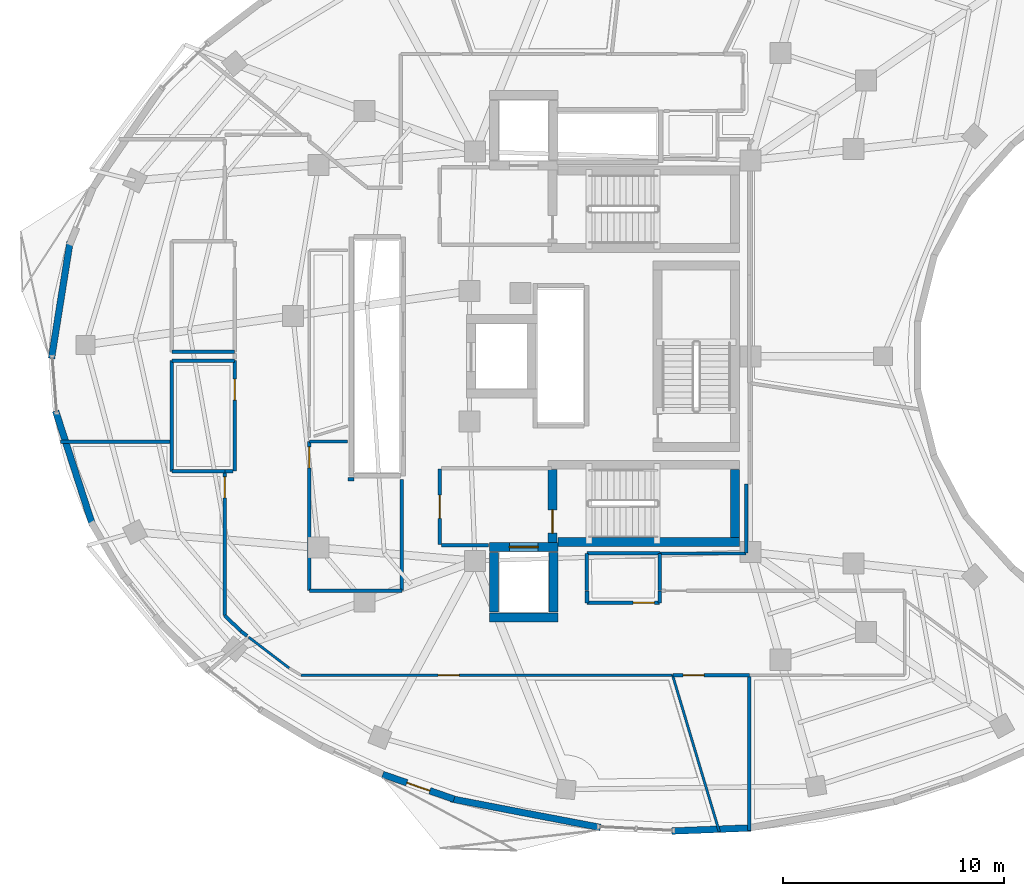
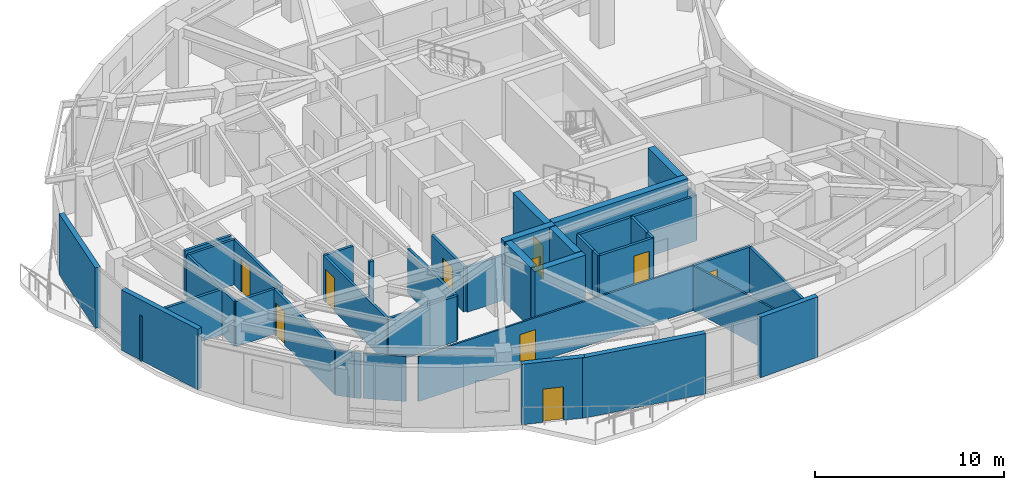
# One storey, part 8 of 14: 42 walls, 10 doors, 10 openings.
"""IFC4 building model written with IfcOpenShell, lengths in metres."""

from ifc_helpers import new_model, si_unit, direction, frame, frame_2d, origin, place, context, subcontext, project, spatial, rectangle, extrude, material, layer, layer_set, type_object, element, fill, save


model = new_model("IFC4")

# Units and contexts
model_context = context("Model", 3, precision=1e-05, world=origin(), true_north=direction((0.0, 1.0)))
body_context = subcontext(model_context, "Body", "Model", "MODEL_VIEW")
ifc_project = project(units=[si_unit("LENGTHUNIT", "METRE"), si_unit("AREAUNIT", "SQUARE_METRE"), si_unit("VOLUMEUNIT", "CUBIC_METRE"), si_unit("PLANEANGLEUNIT", "RADIAN"), si_unit("MASSUNIT", "GRAM", prefix="KILO")], contexts=[model_context])

# Site, building, storey
site_placement = place(None, origin())
site = spatial("IfcSite", under=ifc_project, at=site_placement, CompositionType="ELEMENT")
building_placement = place(site_placement, origin())
building = spatial("IfcBuilding", under=site, at=building_placement, Name="Korentha Bioscience Tower", CompositionType="ELEMENT")
storey_placement = place(building_placement, frame((0.0, 0.0, 247.800048828125)))
storey = spatial("IfcBuildingStorey", under=building, at=storey_placement, Name="L57", CompositionType="ELEMENT", Elevation=247.800048828125)

# Wall, opening, door
ifc_material_1 = material(Name="Double-Stud Acoustic Gypsum", Category="gypsum")
ifc_layer_1 = layer(ifc_material_1, 0.14990234375, Name="Double-Stud Acoustic Gypsum")
ifc_layer_set_1 = layer_set([ifc_layer_1], Name="Double-Stud Acoustic Gypsum (IW-L150)")
wall_type_1 = type_object("IfcWallType", Name="Acoustic Laboratory Partition Wall 150", PredefinedType="PARTITIONING", material=ifc_layer_set_1)
wall_1_placement = place(storey_placement, frame((14.239990234375, 26.800048828125, 0.0), z_axis=(0.0, 0.0, 1.0), x_axis=(0.0, -1.0, 0.0)))
wall_1 = element("IfcWall", 1, at=wall_1_placement, inside=storey, type_object=wall_type_1, Name="L57 Reclaimed Bank-1 Cold Freezer Alcove Entrance Wall", PredefinedType="PARTITIONING", context=body_context, shape_type="SweptSolid", body=[
    extrude(rectangle(XDim=4.989990234375, YDim=0.14990234375, at=frame_2d((2.4951171875, 0.0))), origin(), (0.0, 0.0, 1.0), 2.909912109375),
])
opening_1_placement = place(wall_1_placement, frame((0.830078125, 0.0, 0.0)))
opening_1 = element("IfcOpeningElement", 2, at=opening_1_placement, cuts=wall_1, Name="Opening ID-10R", PredefinedType="OPENING", context=body_context, shape_type="SweptSolid", body=[
    extrude(rectangle(XDim=0.949951171875, YDim=2.14990234375, at=frame_2d((0.47509765625, 1.074951171875))), frame((0.0, 0.08984375, 0.0), z_axis=(0.0, -1.0, 0.0), x_axis=(1.0, 0.0, 0.0)), (0.0, 0.0, 1.0), 0.1796875),
])
ifc_material_2 = material(Name="Phenolic Laminate Timber Core", Category="wood")
door_type_1 = type_object("IfcDoorType", Name="Laboratory Single Leaf Door 950x2150 Right", OperationType="SINGLE_SWING_RIGHT", PredefinedType="DOOR", material=ifc_material_2)
door_1_placement = place(opening_1_placement, origin())
door_1 = element("IfcDoor", 3, at=door_1_placement, inside=storey, type_object=door_type_1, Name="L57 Reclaimed Bank-1 Cold Freezer Alcove Door", OperationType="SINGLE_SWING_RIGHT", OverallHeight=2.14990234375, OverallWidth=0.949951171875, PredefinedType="DOOR", context=body_context, shape_type="SweptSolid", body=[
    extrude(rectangle(XDim=0.949951171875, YDim=2.14990234375, at=frame_2d((0.47509765625, 1.074951171875))), frame((0.0, 0.02490234375, 0.0), z_axis=(0.0, -1.0, 0.0), x_axis=(1.0, 0.0, 0.0)), (0.0, 0.0, 1.0), 0.050048828125),
])
fill(opening_1, door_1)

wall_2_placement = place(storey_placement, frame((17.610107421875, 16.409912109375, 0.0), z_axis=(0.0, 0.0, 1.0), x_axis=(0.0, 1.0, 0.0)))
wall_2 = element("IfcWall", 4, at=wall_2_placement, inside=storey, type_object=wall_type_1, Name="L57 Biomechanical Motion Analysis Lab 02 Entrance Wall", PredefinedType="PARTITIONING", context=body_context, shape_type="SweptSolid", body=[
    extrude(rectangle(XDim=6.738037109375, YDim=0.14990234375, at=frame_2d((3.369140625, 0.0))), origin(), (0.0, 0.0, 1.0), 2.909912109375),
])
opening_2_placement = place(wall_2_placement, frame((5.548095703125, 0.0, 0.0)))
opening_2 = element("IfcOpeningElement", 5, at=opening_2_placement, cuts=wall_2, Name="Opening ID-10L", PredefinedType="OPENING", context=body_context, shape_type="SweptSolid", body=[
    extrude(rectangle(XDim=0.949951171875, YDim=2.14990234375, at=frame_2d((0.47509765625, 1.074951171875))), frame((0.0, 0.08984375, 0.0), z_axis=(0.0, -1.0, 0.0), x_axis=(1.0, 0.0, 0.0)), (0.0, 0.0, 1.0), 0.1796875),
])
door_type_2 = type_object("IfcDoorType", Name="Laboratory Single Leaf Door 950x2150 Left", OperationType="SINGLE_SWING_LEFT", PredefinedType="DOOR", material=ifc_material_2)
door_2_placement = place(opening_2_placement, origin())
door_2 = element("IfcDoor", 6, at=door_2_placement, inside=storey, type_object=door_type_2, Name="L57 Biomechanical Motion Analysis Lab 02 Door", OperationType="SINGLE_SWING_LEFT", OverallHeight=2.14990234375, OverallWidth=0.949951171875, PredefinedType="DOOR", context=body_context, shape_type="SweptSolid", body=[
    extrude(rectangle(XDim=0.949951171875, YDim=2.14990234375, at=frame_2d((0.47509765625, 1.074951171875))), frame((0.0, 0.02490234375, 0.0), z_axis=(0.0, -1.0, 0.0), x_axis=(1.0, 0.0, 0.0)), (0.0, 0.0, 1.0), 0.050048828125),
])
fill(opening_2, door_2)

wall_3_placement = place(storey_placement, frame((34.037109375, 12.590087890625, 0.0), z_axis=(0.0, 0.0, 1.0), x_axis=(1.0, 0.0, 0.0)))
wall_3 = element("IfcWall", 7, at=wall_3_placement, inside=storey, type_object=wall_type_1, Name="L57 Research Colloquium Seminar Room 04 Entrance Wall", PredefinedType="PARTITIONING", context=body_context, shape_type="SweptSolid", body=[
    extrude(rectangle(XDim=3.4609375, YDim=0.14990234375, at=frame_2d((1.73046875, 0.0))), origin(), (0.0, 0.0, 1.0), 2.909912109375),
])
opening_3_placement = place(wall_3_placement, frame((0.470703125, 0.0, 0.0)))
opening_3 = element("IfcOpeningElement", 8, at=opening_3_placement, cuts=wall_3, Name="Opening ID-10L", PredefinedType="OPENING", context=body_context, shape_type="SweptSolid", body=[
    extrude(rectangle(XDim=0.949951171875, YDim=2.14990234375, at=frame_2d((0.47509765625, 1.074951171875))), frame((0.0, 0.08984375, 0.0), z_axis=(0.0, -1.0, 0.0), x_axis=(1.0, 0.0, 0.0)), (0.0, 0.0, 1.0), 0.1796875),
])
door_3_placement = place(opening_3_placement, origin())
door_3 = element("IfcDoor", 9, at=door_3_placement, inside=storey, type_object=door_type_2, Name="L57 Research Colloquium Seminar Room 04 Door", OperationType="SINGLE_SWING_LEFT", OverallHeight=2.14990234375, OverallWidth=0.949951171875, PredefinedType="DOOR", context=body_context, shape_type="SweptSolid", body=[
    extrude(rectangle(XDim=0.949951171875, YDim=2.14990234375, at=frame_2d((0.47509765625, 1.074951171875))), frame((0.0, 0.02490234375, 0.0), z_axis=(0.0, -1.0, 0.0), x_axis=(1.0, 0.0, 0.0)), (0.0, 0.0, 1.0), 0.050048828125),
])
fill(opening_3, door_3)

# Walls
wall_4_placement = place(storey_placement, frame((14.162109375, 21.81005859375, 0.0), z_axis=(0.0, 0.0, 1.0), x_axis=(-1.0, 0.0, 0.0)))
element("IfcWall", 10, at=wall_4_placement, inside=storey, type_object=wall_type_1, Name="L57 Interior Partition 025", PredefinedType="PARTITIONING", context=body_context, shape_type="SweptSolid", body=[
    extrude(rectangle(XDim=0.362060546875, YDim=0.14990234375, at=frame_2d((0.18115234375, 0.0))), origin(), (0.0, 0.0, 1.0), 2.909912109375),
])
wall_5_placement = place(storey_placement, frame((13.7900390625, 21.800048828125, 0.0), z_axis=(0.0, 0.0, 1.0), x_axis=(-1.0, 0.0, 0.0)))
element("IfcWall", 11, at=wall_5_placement, inside=storey, type_object=wall_type_1, Name="L57 Interior Partition 026", PredefinedType="PARTITIONING", context=body_context, shape_type="SweptSolid", body=[
    extrude(rectangle(XDim=2.39013671875, YDim=0.14990234375, at=frame_2d((1.195068359375, 0.0))), origin(), (0.0, 0.0, 1.0), 2.909912109375),
])
wall_6_placement = place(storey_placement, frame((11.39990234375, 21.800048828125, 0.0), z_axis=(0.0, 0.0, 1.0), x_axis=(0.0, 1.0, 0.0)))
element("IfcWall", 12, at=wall_6_placement, inside=storey, type_object=wall_type_1, Name="L57 Interior Partition 027", PredefinedType="PARTITIONING", context=body_context, shape_type="SweptSolid", body=[
    extrude(rectangle(XDim=5.0, YDim=0.14990234375, at=frame_2d((2.5, 0.0))), origin(), (0.0, 0.0, 1.0), 2.909912109375),
])
wall_7_placement = place(storey_placement, frame((11.39990234375, 26.800048828125, 0.0), z_axis=(0.0, 0.0, 1.0), x_axis=(1.0, 0.0, 0.0)))
element("IfcWall", 13, at=wall_7_placement, inside=storey, type_object=wall_type_1, Name="L57 Interior Partition 028", PredefinedType="PARTITIONING", context=body_context, shape_type="SweptSolid", body=[
    extrude(rectangle(XDim=2.840087890625, YDim=0.14990234375, at=frame_2d((1.419921875, 0.0))), origin(), (0.0, 0.0, 1.0), 2.909912109375),
])
wall_8_placement = place(storey_placement, frame((19.35009765625, 21.43994140625, 0.0), z_axis=(0.0, 0.0, 1.0), x_axis=(1.0, 0.0, 0.0)))
element("IfcWall", 14, at=wall_8_placement, inside=storey, type_object=wall_type_1, Name="L57 Interior Partition 037", PredefinedType="PARTITIONING", context=body_context, shape_type="SweptSolid", body=[
    extrude(rectangle(XDim=0.27001953125, YDim=0.14990234375, at=frame_2d((0.135009765625, 0.0))), origin(), (0.0, 0.0, 1.0), 2.909912109375),
])
wall_9_placement = place(storey_placement, frame((21.7900390625, 21.43994140625, 0.0), z_axis=(0.0, 0.0, 1.0), x_axis=(0.0, -1.0, 0.0)))
element("IfcWall", 15, at=wall_9_placement, inside=storey, type_object=wall_type_1, Name="L57 Interior Partition 038", PredefinedType="PARTITIONING", context=body_context, shape_type="SweptSolid", body=[
    extrude(rectangle(XDim=5.030029296875, YDim=0.14990234375, at=frame_2d((2.51513671875, 0.0))), origin(), (0.0, 0.0, 1.0), 2.909912109375),
])
wall_10_placement = place(storey_placement, frame((21.7900390625, 16.409912109375, 0.0), z_axis=(0.0, 0.0, 1.0), x_axis=(-1.0, 0.0, 0.0)))
element("IfcWall", 16, at=wall_10_placement, inside=storey, type_object=wall_type_1, Name="L57 Interior Partition 039", PredefinedType="PARTITIONING", context=body_context, shape_type="SweptSolid", body=[
    extrude(rectangle(XDim=4.179931640625, YDim=0.14990234375, at=frame_2d((2.08984375, 0.0))), origin(), (0.0, 0.0, 1.0), 2.909912109375),
])
wall_11_placement = place(storey_placement, frame((17.610107421875, 23.14794921875, 0.0), z_axis=(0.0, 0.0, 1.0), x_axis=(1.0, 0.0, 0.0)))
element("IfcWall", 17, at=wall_11_placement, inside=storey, type_object=wall_type_1, Name="L57 Interior Partition 040", PredefinedType="PARTITIONING", context=body_context, shape_type="SweptSolid", body=[
    extrude(rectangle(XDim=1.729736328125, YDim=0.14990234375, at=frame_2d((0.86474609375, 0.0))), origin(), (0.0, 0.0, 1.0), 2.909912109375),
])
wall_12_placement = place(storey_placement, frame((37.498046875, 12.590087890625, 0.0), z_axis=(0.0, 0.0, 1.0), x_axis=(0.0, -1.0, 0.0)))
element("IfcWall", 18, at=wall_12_placement, inside=storey, type_object=wall_type_1, Name="L57 Interior Partition 044", PredefinedType="PARTITIONING", context=body_context, shape_type="SweptSolid", body=[
    extrude(rectangle(XDim=7.02392578125, YDim=0.14990234375, at=frame_2d((3.511962890625, 0.0))), origin(), (0.0, 0.0, 1.0), 2.909912109375),
])
wall_13_placement = place(storey_placement, frame((33.4599609375, 18.090087890625, 0.0), z_axis=(0.0, 0.0, 1.0), x_axis=(1.0, 0.0, 0.0)))
element("IfcWall", 19, at=wall_13_placement, inside=storey, type_object=wall_type_1, Name="L57 Interior Partition 052", PredefinedType="PARTITIONING", context=body_context, shape_type="SweptSolid", body=[
    extrude(rectangle(XDim=3.89013671875, YDim=0.14990234375, at=frame_2d((1.945068359375, 0.0))), origin(), (0.0, 0.0, 1.0), 2.909912109375),
])
wall_14_placement = place(storey_placement, frame((37.360107421875, 18.10009765625, 0.0), z_axis=(0.0, 0.0, 1.0), x_axis=(0.0, 1.0, 0.0)))
element("IfcWall", 20, at=wall_14_placement, inside=storey, type_object=wall_type_1, Name="L57 Interior Partition 053", PredefinedType="PARTITIONING", context=body_context, shape_type="SweptSolid", body=[
    extrude(rectangle(XDim=3.12060546875, YDim=0.14990234375, at=frame_2d((1.560302734375, 0.0))), origin(), (0.0, 0.0, 1.0), 2.909912109375),
])

# Wall, opening, door
ifc_material_3 = material(Name="Fire-Rated Framed Glass", Category="glass")
ifc_layer_2 = layer(ifc_material_3, 0.110107421875, Name="Fire-Rated Framed Glass")
ifc_layer_set_2 = layer_set([ifc_layer_2], Name="Fire-Rated Framed Glass (IW-G110)")
wall_type_2 = type_object("IfcWallType", Name="Demountable Glazed Office Partition 110", PredefinedType="MOVABLE", material=ifc_layer_set_2)
wall_15_placement = place(storey_placement, frame((17.235595703125, 12.590087890625, 0.0), z_axis=(0.0, 0.0, 1.0), x_axis=(1.0, 0.0, 0.0)))
wall_15 = element("IfcWall", 21, at=wall_15_placement, inside=storey, type_object=wall_type_2, Name="L57 Principal Investigator Office 03 Entrance Wall", PredefinedType="MOVABLE", context=body_context, shape_type="SweptSolid", body=[
    extrude(rectangle(XDim=16.791015625, YDim=0.110107421875, at=frame_2d((8.3955078125, 0.0))), origin(), (0.0, 0.0, 1.0), 2.909912109375),
])
opening_4_placement = place(wall_15_placement, frame((6.193603515625, 0.0, 0.0)))
opening_4 = element("IfcOpeningElement", 22, at=opening_4_placement, cuts=wall_15, Name="Opening ID-10R", PredefinedType="OPENING", context=body_context, shape_type="SweptSolid", body=[
    extrude(rectangle(XDim=0.949951171875, YDim=2.14990234375, at=frame_2d((0.47509765625, 1.074951171875))), frame((0.0, 0.06982421875, 0.0), z_axis=(0.0, -1.0, 0.0), x_axis=(1.0, 0.0, 0.0)), (0.0, 0.0, 1.0), 0.139892578125),
])
door_4_placement = place(opening_4_placement, origin())
door_4 = element("IfcDoor", 23, at=door_4_placement, inside=storey, type_object=door_type_1, Name="L57 Principal Investigator Office 03 Door", OperationType="SINGLE_SWING_RIGHT", OverallHeight=2.14990234375, OverallWidth=0.949951171875, PredefinedType="DOOR", context=body_context, shape_type="SweptSolid", body=[
    extrude(rectangle(XDim=0.949951171875, YDim=2.14990234375, at=frame_2d((0.47509765625, 1.074951171875))), frame((0.0, 0.02490234375, 0.0), z_axis=(0.0, -1.0, 0.0), x_axis=(1.0, 0.0, 0.0)), (0.0, 0.0, 1.0), 0.050048828125),
])
fill(opening_4, door_4)

# Walls
wall_16_placement = place(storey_placement, frame((14.8740234375, 14.305908203125, 0.0), z_axis=(0.0, 0.0, 1.0), x_axis=(0.794366882066, -0.607438273965, 0.0)))
element("IfcWall", 24, at=wall_16_placement, inside=storey, type_object=wall_type_2, Name="L57 Interior Partition 041", PredefinedType="MOVABLE", context=body_context, shape_type="SweptSolid", body=[
    extrude(rectangle(XDim=2.29736328125, YDim=0.110107421875, at=frame_2d((1.148681640625, 0.0))), origin(), (0.0, 0.0, 1.0), 2.909912109375),
])
wall_17_placement = place(storey_placement, frame((34.026611328125, 12.590087890625, 0.0), z_axis=(0.0, 0.0, 1.0), x_axis=(0.286155182725, -0.958183286955, 0.0)))
element("IfcWall", 25, at=wall_17_placement, inside=storey, type_object=wall_type_2, Name="L57 Interior Partition 043", PredefinedType="MOVABLE", context=body_context, shape_type="SweptSolid", body=[
    extrude(rectangle(XDim=7.381591796875, YDim=0.110107421875, at=frame_2d((3.69091796875, 0.0))), origin(), (0.0, 0.0, 1.0), 2.909912109375),
])

# Wall, opening, door
ifc_material_4 = material(Name="Gypsum-Clad Steel Stud", Category="steel")
ifc_layer_3 = layer(ifc_material_4, 0.159912109375, Name="Gypsum-Clad Steel Stud")
ifc_layer_set_3 = layer_set([ifc_layer_3], Name="Gypsum-Clad Steel Stud (IW-C160)")
wall_type_3 = type_object("IfcWallType", Name="Fire-Rated Corridor Partition Wall 160", PredefinedType="PARTITIONING", material=ifc_layer_set_3)
wall_18_placement = place(storey_placement, frame((23.5, 18.5, 0.0), z_axis=(0.0, 0.0, 1.0), x_axis=(0.0, 1.0, 0.0)))
wall_18 = element("IfcWall", 26, at=wall_18_placement, inside=storey, type_object=wall_type_3, Name="L57 FFLS-CW Rated Enclosure Wall", PredefinedType="PARTITIONING", context=body_context, shape_type="SweptSolid", body=[
    extrude(rectangle(XDim=3.39990234375, YDim=0.159912109375, at=frame_2d((1.699951171875, 0.0))), origin(), (0.0, 0.0, 1.0), 2.909912109375),
])
opening_5_placement = place(wall_18_placement, frame((1.175048828125, 0.0, 0.0)))
opening_5 = element("IfcOpeningElement", 27, at=opening_5_placement, cuts=wall_18, Name="Opening FD-90R", PredefinedType="OPENING", context=body_context, shape_type="SweptSolid", body=[
    extrude(rectangle(XDim=1.050048828125, YDim=2.14990234375, at=frame_2d((0.52490234375, 1.074951171875))), frame((0.0, 0.0947265625, 0.0), z_axis=(0.0, -1.0, 0.0), x_axis=(1.0, 0.0, 0.0)), (0.0, 0.0, 1.0), 0.189697265625),
])
ifc_material_5 = material(Name="Powder-Coated Fire-Rated Steel", Category="steel")
door_type_3 = type_object("IfcDoorType", Name="Stairwell Fire Exit Door 1050x2150 Right", OperationType="SINGLE_SWING_RIGHT", PredefinedType="DOOR", material=ifc_material_5)
door_5_placement = place(opening_5_placement, origin())
door_5 = element("IfcDoor", 28, at=door_5_placement, inside=storey, type_object=door_type_3, Name="L57 South Firefighting Lobby Door", OperationType="SINGLE_SWING_RIGHT", OverallHeight=2.14990234375, OverallWidth=1.050048828125, PredefinedType="DOOR", context=body_context, shape_type="SweptSolid", body=[
    extrude(rectangle(XDim=1.050048828125, YDim=2.14990234375, at=frame_2d((0.52490234375, 1.074951171875))), frame((0.0, 0.02490234375, 0.0), z_axis=(0.0, -1.0, 0.0), x_axis=(1.0, 0.0, 0.0)), (0.0, 0.0, 1.0), 0.050048828125),
])
fill(opening_5, door_5)

# Wall
wall_19_placement = place(storey_placement, frame((23.580078125, 18.449951171875, 0.0), z_axis=(0.0, 0.0, 1.0), x_axis=(1.0, 0.0, 0.0)))
element("IfcWall", 29, at=wall_19_placement, inside=storey, type_object=wall_type_3, Name="L57 Firefighting Lobby Return Wall FFLS-S", PredefinedType="PARTITIONING", context=body_context, shape_type="SweptSolid", body=[
    extrude(rectangle(XDim=2.119873046875, YDim=0.159912109375, at=frame_2d((1.06005859375, 0.0))), origin(), (0.0, 0.0, 1.0), 2.909912109375),
])

# Wall, opening, door
wall_20_placement = place(storey_placement, frame((33.43994140625, 15.860107421875, 0.0), z_axis=(0.0, 0.0, 1.0), x_axis=(-1.0, 0.0, 0.0)))
wall_20 = element("IfcWall", 30, at=wall_20_placement, inside=storey, type_object=wall_type_3, Name="L57 Core Instrumentation and Gas Store Entrance Wall", PredefinedType="PARTITIONING", context=body_context, shape_type="SweptSolid", body=[
    extrude(rectangle(XDim=3.280029296875, YDim=0.159912109375, at=frame_2d((1.64013671875, 0.0))), origin(), (0.0, 0.0, 1.0), 2.909912109375),
])
opening_6_placement = place(wall_20_placement, frame((0.239990234375, 0.0, 0.0)))
opening_6 = element("IfcOpeningElement", 31, at=opening_6_placement, cuts=wall_20, Name="Opening ID-10R", PredefinedType="OPENING", context=body_context, shape_type="SweptSolid", body=[
    extrude(rectangle(XDim=0.949951171875, YDim=2.14990234375, at=frame_2d((0.47509765625, 1.074951171875))), frame((0.0, 0.0947265625, 0.0), z_axis=(0.0, -1.0, 0.0), x_axis=(1.0, 0.0, 0.0)), (0.0, 0.0, 1.0), 0.189697265625),
])
door_6_placement = place(opening_6_placement, origin())
door_6 = element("IfcDoor", 32, at=door_6_placement, inside=storey, type_object=door_type_1, Name="L57 Core Instrumentation and Gas Store Door", OperationType="SINGLE_SWING_RIGHT", OverallHeight=2.14990234375, OverallWidth=0.949951171875, PredefinedType="DOOR", context=body_context, shape_type="SweptSolid", body=[
    extrude(rectangle(XDim=0.949951171875, YDim=2.14990234375, at=frame_2d((0.47509765625, 1.074951171875))), frame((0.0, 0.02490234375, 0.0), z_axis=(0.0, -1.0, 0.0), x_axis=(1.0, 0.0, 0.0)), (0.0, 0.0, 1.0), 0.050048828125),
])
fill(opening_6, door_6)

wall_21_placement = place(storey_placement, frame((13.7900390625, 21.7900390625, 0.0), z_axis=(0.0, 0.0, 1.0), x_axis=(0.0, -1.0, 0.0)))
wall_21 = element("IfcWall", 33, at=wall_21_placement, inside=storey, type_object=wall_type_3, Name="L57 Biospecimen Archive Store 01 Entrance Wall", PredefinedType="PARTITIONING", context=body_context, shape_type="SweptSolid", body=[
    extrude(rectangle(XDim=6.49853515625, YDim=0.159912109375, at=frame_2d((3.249267578125, 0.0))), origin(), (0.0, 0.0, 1.0), 2.909912109375),
])
opening_7_placement = place(wall_21_placement, frame((0.239990234375, 0.0, 0.0)))
opening_7 = element("IfcOpeningElement", 34, at=opening_7_placement, cuts=wall_21, Name="Opening ID-10R", PredefinedType="OPENING", context=body_context, shape_type="SweptSolid", body=[
    extrude(rectangle(XDim=0.949951171875, YDim=2.14990234375, at=frame_2d((0.47509765625, 1.074951171875))), frame((0.0, 0.0947265625, 0.0), z_axis=(0.0, -1.0, 0.0), x_axis=(1.0, 0.0, 0.0)), (0.0, 0.0, 1.0), 0.189697265625),
])
door_7_placement = place(opening_7_placement, origin())
door_7 = element("IfcDoor", 35, at=door_7_placement, inside=storey, type_object=door_type_1, Name="L57 Biospecimen Archive Store 01 Door", OperationType="SINGLE_SWING_RIGHT", OverallHeight=2.14990234375, OverallWidth=0.949951171875, PredefinedType="DOOR", context=body_context, shape_type="SweptSolid", body=[
    extrude(rectangle(XDim=0.949951171875, YDim=2.14990234375, at=frame_2d((0.47509765625, 1.074951171875))), frame((0.0, 0.02490234375, 0.0), z_axis=(0.0, -1.0, 0.0), x_axis=(1.0, 0.0, 0.0)), (0.0, 0.0, 1.0), 0.050048828125),
])
fill(opening_7, door_7)

# Walls
for number, where, z_axis, x_axis, name in (
    (36, (33.43994140625, 16.39990234375, 0.0), (0.0, 0.0, 1.0), (0.0, -1.0, 0.0), "L57 Interior Partition 018"),
    (37, (30.159912109375, 15.860107421875, 0.0), (0.0, 0.0, 1.0), (0.0, 1.0, 0.0), "L57 Interior Partition 019"),
):
    element("IfcWall", number, at=place(storey_placement, frame(where, z_axis=z_axis, x_axis=x_axis)), inside=storey, type_object=wall_type_3, Name=name, PredefinedType="PARTITIONING", context=body_context, shape_type="SweptSolid", body=[
        extrude(rectangle(XDim=0.539794921875, YDim=0.159912109375, at=frame_2d((0.27001953125, 0.0))), origin(), (0.0, 0.0, 1.0), 2.909912109375),
    ])
wall_22_placement = place(storey_placement, frame((30.14990234375, 16.409912109375, 0.0), z_axis=(0.0, 0.0, 1.0), x_axis=(0.0, 1.0, 0.0)))
element("IfcWall", 38, at=wall_22_placement, inside=storey, type_object=wall_type_3, Name="L57 Interior Partition 020", PredefinedType="PARTITIONING", context=body_context, shape_type="SweptSolid", body=[
    extrude(rectangle(XDim=1.68017578125, YDim=0.159912109375, at=frame_2d((0.840087890625, 0.0))), origin(), (0.0, 0.0, 1.0), 2.909912109375),
])
wall_23_placement = place(storey_placement, frame((30.14990234375, 18.090087890625, 0.0), z_axis=(0.0, 0.0, 1.0), x_axis=(1.0, 0.0, 0.0)))
element("IfcWall", 39, at=wall_23_placement, inside=storey, type_object=wall_type_3, Name="L57 Interior Partition 021", PredefinedType="PARTITIONING", context=body_context, shape_type="SweptSolid", body=[
    extrude(rectangle(XDim=3.300048828125, YDim=0.159912109375, at=frame_2d((1.64990234375, 0.0))), origin(), (0.0, 0.0, 1.0), 2.909912109375),
])
wall_24_placement = place(storey_placement, frame((33.449951171875, 18.090087890625, 0.0), z_axis=(0.0, 0.0, 1.0), x_axis=(0.0, -1.0, 0.0)))
element("IfcWall", 40, at=wall_24_placement, inside=storey, type_object=wall_type_3, Name="L57 Interior Partition 022", PredefinedType="PARTITIONING", context=body_context, shape_type="SweptSolid", body=[
    extrude(rectangle(XDim=1.68017578125, YDim=0.159912109375, at=frame_2d((0.840087890625, 0.0))), origin(), (0.0, 0.0, 1.0), 2.909912109375),
])
wall_25_placement = place(storey_placement, frame((14.239990234375, 27.199951171875, 0.0), z_axis=(0.0, 0.0, 1.0), x_axis=(-1.0, 0.0, 0.0)))
element("IfcWall", 41, at=wall_25_placement, inside=storey, type_object=wall_type_3, Name="L57 Interior Partition 030", PredefinedType="PARTITIONING", context=body_context, shape_type="SweptSolid", body=[
    extrude(rectangle(XDim=2.840087890625, YDim=0.159912109375, at=frame_2d((1.419921875, 0.0))), origin(), (0.0, 0.0, 1.0), 2.909912109375),
])
wall_26_placement = place(storey_placement, frame((6.3701171875, 23.14794921875, 0.0), z_axis=(0.0, 0.0, 1.0), x_axis=(1.0, 0.0, 0.0)))
element("IfcWall", 42, at=wall_26_placement, inside=storey, type_object=wall_type_3, Name="L57 Interior Partition 033", PredefinedType="PARTITIONING", context=body_context, shape_type="SweptSolid", body=[
    extrude(rectangle(XDim=5.019775390625, YDim=0.159912109375, at=frame_2d((2.509765625, 0.0))), origin(), (0.0, 0.0, 1.0), 2.909912109375),
])
wall_27_placement = place(storey_placement, frame((13.79296875, 15.2841796875, 0.0), z_axis=(0.0, 0.0, 1.0), x_axis=(0.7160122468, -0.698087718294, 0.0)))
element("IfcWall", 43, at=wall_27_placement, inside=storey, type_object=wall_type_3, Name="L57 Interior Partition 034", PredefinedType="PARTITIONING", context=body_context, shape_type="SweptSolid", body=[
    extrude(rectangle(XDim=1.0078125, YDim=0.159912109375, at=frame_2d((0.50390625, 0.0))), origin(), (0.0, 0.0, 1.0), 2.909912109375),
])
wall_28_placement = place(storey_placement, frame((14.515625, 14.579833984375, 0.0), z_axis=(0.0, 0.0, 1.0), x_axis=(0.794124394036, -0.607755252381, 0.0)))
element("IfcWall", 44, at=wall_28_placement, inside=storey, type_object=wall_type_3, Name="L57 Interior Partition 035", PredefinedType="PARTITIONING", context=body_context, shape_type="SweptSolid", body=[
    extrude(rectangle(XDim=0.356201171875, YDim=0.159912109375, at=frame_2d((0.17822265625, 0.0))), origin(), (0.0, 0.0, 1.0), 2.909912109375),
])

# Wall, opening, door
ifc_material_6 = material(Name="Honed Limestone Precast Concrete C40", Category="masonry")
ifc_layer_4 = layer(ifc_material_6, 0.300048828125, Name="Honed Limestone Precast Concrete C40")
ifc_layer_set_4 = layer_set([ifc_layer_4], Name="Honed Limestone Precast Concrete C40 (EW-ST300)")
wall_type_4 = type_object("IfcWallType", Name="Honed Limestone Cavity Spandrel Wall 300", PredefinedType="STANDARD", material=ifc_layer_set_4)
wall_29_placement = place(storey_placement, frame((20.927978515625, 8.1044921875, 0.0), z_axis=(0.0, 0.0, 1.0), x_axis=(0.944837969822, -0.327538105849, 0.0)))
wall_29 = element("IfcWall", 45, at=wall_29_placement, inside=storey, type_object=wall_type_4, Name="L57 Balcony Threshold Wall 03", PredefinedType="STANDARD", context=body_context, shape_type="SweptSolid", body=[
    extrude(rectangle(XDim=3.412353515625, YDim=0.300048828125, at=frame_2d((1.7060546875, 0.0))), origin(), (0.0, 0.0, 1.0), 3.89990234375),
])
opening_8_placement = place(wall_29_placement, frame((1.156005859375, 0.0, 0.0)))
opening_8 = element("IfcOpeningElement", 46, at=opening_8_placement, cuts=wall_29, Name="Opening BD-11L", PredefinedType="OPENING", context=body_context, shape_type="SweptSolid", body=[
    extrude(rectangle(XDim=1.10009765625, YDim=2.14990234375, at=frame_2d((0.550048828125, 1.074951171875))), frame((0.0, 0.1650390625, 0.0), z_axis=(0.0, -1.0, 0.0), x_axis=(1.0, 0.0, 0.0)), (0.0, 0.0, 1.0), 0.329833984375),
])
ifc_material_7 = material(Name="Thermally Broken Glazed Aluminium", Category="aluminium")
door_type_4 = type_object("IfcDoorType", Name="Balcony Terrace Glazed Door 1100x2150 Left", OperationType="SINGLE_SWING_LEFT", PredefinedType="DOOR", material=ifc_material_7)
door_8_placement = place(opening_8_placement, origin())
door_8 = element("IfcDoor", 47, at=door_8_placement, inside=storey, type_object=door_type_4, Name="L57 Balcony Access Door 03", OperationType="SINGLE_SWING_LEFT", OverallHeight=2.14990234375, OverallWidth=1.10009765625, PredefinedType="DOOR", context=body_context, shape_type="SweptSolid", body=[
    extrude(rectangle(XDim=1.10009765625, YDim=2.14990234375, at=frame_2d((0.550048828125, 1.074951171875))), frame((0.0, 0.02490234375, 0.0), z_axis=(0.0, -1.0, 0.0), x_axis=(1.0, 0.0, 0.0)), (0.0, 0.0, 1.0), 0.050048828125),
])
fill(opening_8, door_8)

# Walls
wall_30_placement = place(storey_placement, frame((6.802734375, 32.19970703125, 0.0), z_axis=(0.0, 0.0, 1.0), x_axis=(-0.157240066957, -0.987560408959, 0.0)))
element("IfcWall", 48, at=wall_30_placement, inside=storey, type_object=wall_type_4, Name="L57 Limestone Perimeter Closure Wall 17", PredefinedType="STANDARD", context=body_context, shape_type="SweptSolid", body=[
    extrude(rectangle(XDim=5.367431640625, YDim=0.300048828125, at=frame_2d((2.68359375, 0.0))), origin(), (0.0, 0.0, 1.0), 3.89990234375),
])
wall_31_placement = place(storey_placement, frame((6.147216796875, 24.529052734375, 0.0), z_axis=(0.0, 0.0, 1.0), x_axis=(0.307501658213, -0.951547544895, 0.0)))
element("IfcWall", 49, at=wall_31_placement, inside=storey, type_object=wall_type_4, Name="L57 Limestone Perimeter Closure Wall 20", PredefinedType="STANDARD", context=body_context, shape_type="SweptSolid", body=[
    extrude(rectangle(XDim=5.447265625, YDim=0.300048828125, at=frame_2d((2.7236328125, 0.0))), origin(), (0.0, 0.0, 1.0), 3.89990234375),
])
wall_32_placement = place(storey_placement, frame((23.990966796875, 7.0078125, 0.0), z_axis=(0.0, 0.0, 1.0), x_axis=(0.982011242269, -0.188822456443, 0.0)))
element("IfcWall", 50, at=wall_32_placement, inside=storey, type_object=wall_type_4, Name="L57 Limestone Perimeter Closure Wall 29", PredefinedType="STANDARD", context=body_context, shape_type="SweptSolid", body=[
    extrude(rectangle(XDim=6.899169921875, YDim=0.300048828125, at=frame_2d((3.44970703125, 0.0))), origin(), (0.0, 0.0, 1.0), 3.89990234375),
])
wall_33_placement = place(storey_placement, frame((33.98779296875, 5.543212890625, 0.0), z_axis=(0.0, 0.0, 1.0), x_axis=(0.999208461954, 0.039780014567, 0.0)))
element("IfcWall", 51, at=wall_33_placement, inside=storey, type_object=wall_type_4, Name="L57 Limestone Perimeter Closure Wall 32", PredefinedType="STANDARD", context=body_context, shape_type="SweptSolid", body=[
    extrude(rectangle(XDim=3.578125, YDim=0.300048828125, at=frame_2d((1.7890625, 0.0))), origin(), (0.0, 0.0, 1.0), 3.89990234375),
])
ifc_material_8 = material(Name="Concrete C65", Category="concrete")
ifc_layer_5 = layer(ifc_material_8, 0.39990234375, Name="Concrete C65")
ifc_layer_set_5 = layer_set([ifc_layer_5], Name="Concrete C65 (CW-C65)")
wall_type_5 = type_object("IfcWallType", Name="Mid-Rise Core Shear Wall 400", PredefinedType="SHEAR", material=ifc_layer_set_5)
wall_34_placement = place(storey_placement, frame((28.85205078125, 18.60009765625, 0.0), z_axis=(0.0, 0.0, 1.0), x_axis=(1.0, 0.0, 0.0)))
element("IfcWall", 52, at=wall_34_placement, inside=storey, type_object=wall_type_5, Name="L57 Core Shear Wall ST2-S", PredefinedType="SHEAR", context=body_context, shape_type="SweptSolid", body=[
    extrude(rectangle(XDim=8.197998046875, YDim=0.39990234375, at=frame_2d((4.09912109375, 0.0))), origin(), (0.0, 0.0, 1.0), 3.89990234375),
])
wall_35_placement = place(storey_placement, frame((36.85009765625, 18.81005859375, 0.0), z_axis=(0.0, 0.0, 1.0), x_axis=(0.0, 1.0, 0.0)))
element("IfcWall", 53, at=wall_35_placement, inside=storey, type_object=wall_type_5, Name="L57 Core Shear Wall ST2-E", PredefinedType="SHEAR", context=body_context, shape_type="SweptSolid", body=[
    extrude(rectangle(XDim=3.079833984375, YDim=0.39990234375, at=frame_2d((1.5400390625, 0.0))), origin(), (0.0, 0.0, 1.0), 3.89990234375),
])

# Wall, opening, door
wall_36_placement = place(storey_placement, frame((28.60009765625, 18.58203125, 0.0), z_axis=(0.0, 0.0, 1.0), x_axis=(0.0, 1.0, 0.0)))
wall_36 = element("IfcWall", 54, at=wall_36_placement, inside=storey, type_object=wall_type_5, Name="L57 Core Shear Wall ST2-W", PredefinedType="SHEAR", context=body_context, shape_type="SweptSolid", body=[
    extrude(rectangle(XDim=3.307861328125, YDim=0.39990234375, at=frame_2d((1.65380859375, 0.0))), origin(), (0.0, 0.0, 1.0), 3.89990234375),
])
opening_9_placement = place(wall_36_placement, frame((0.427978515625, 0.0, 0.0)))
opening_9 = element("IfcOpeningElement", 55, at=opening_9_placement, cuts=wall_36, Name="Opening FD-90R", PredefinedType="OPENING", context=body_context, shape_type="SweptSolid", body=[
    extrude(rectangle(XDim=1.050048828125, YDim=2.14990234375, at=frame_2d((0.52490234375, 1.074951171875))), frame((0.0, 0.21484375, 0.0), z_axis=(0.0, -1.0, 0.0), x_axis=(1.0, 0.0, 0.0)), (0.0, 0.0, 1.0), 0.4296875),
])
door_9_placement = place(opening_9_placement, origin())
door_9 = element("IfcDoor", 56, at=door_9_placement, inside=storey, type_object=door_type_3, Name="L57 ST-2 Fire Exit Stair Door", OperationType="SINGLE_SWING_RIGHT", OverallHeight=2.14990234375, OverallWidth=1.050048828125, PredefinedType="DOOR", context=body_context, shape_type="SweptSolid", body=[
    extrude(rectangle(XDim=1.050048828125, YDim=2.14990234375, at=frame_2d((0.52490234375, 1.074951171875))), frame((0.0, 0.02490234375, 0.0), z_axis=(0.0, -1.0, 0.0), x_axis=(1.0, 0.0, 0.0)), (0.0, 0.0, 1.0), 0.050048828125),
])
fill(opening_9, door_9)

# Wall
wall_37_placement = place(storey_placement, frame((25.75, 15.199951171875, 0.0), z_axis=(0.0, 0.0, 1.0), x_axis=(1.0, 0.0, 0.0)))
element("IfcWall", 57, at=wall_37_placement, inside=storey, type_object=wall_type_5, Name="L57 Core Shear Wall FFL1-S", PredefinedType="SHEAR", context=body_context, shape_type="SweptSolid", body=[
    extrude(rectangle(XDim=3.10009765625, YDim=0.39990234375, at=frame_2d((1.550048828125, 0.0))), origin(), (0.0, 0.0, 1.0), 3.89990234375),
])

# Wall, opening, door
wall_38_placement = place(storey_placement, frame((25.75, 18.3798828125, 0.0), z_axis=(0.0, 0.0, 1.0), x_axis=(1.0, 0.0, 0.0)))
wall_38 = element("IfcWall", 58, at=wall_38_placement, inside=storey, type_object=wall_type_5, Name="L57 Core Shear Wall FFL1-N", PredefinedType="SHEAR", context=body_context, shape_type="SweptSolid", body=[
    extrude(rectangle(XDim=3.10009765625, YDim=0.39990234375, at=frame_2d((1.550048828125, 0.0))), origin(), (0.0, 0.0, 1.0), 3.89990234375),
])
opening_10_placement = place(wall_38_placement, frame((0.89990234375, 0.0, 0.0)))
opening_10 = element("IfcOpeningElement", 59, at=opening_10_placement, cuts=wall_38, Name="Opening LD-13", PredefinedType="OPENING", context=body_context, shape_type="SweptSolid", body=[
    extrude(rectangle(XDim=1.300048828125, YDim=2.199951171875, at=frame_2d((0.64990234375, 1.10009765625))), frame((0.0, 0.21484375, 0.0), z_axis=(0.0, -1.0, 0.0), x_axis=(1.0, 0.0, 0.0)), (0.0, 0.0, 1.0), 0.4296875),
])
ifc_material_9 = material(Name="Brushed Stainless Steel 316", Category="steel")
door_type_5 = type_object("IfcDoorType", Name="Service & Firefighting Lift Landing Door 1300x2300", OperationType="DOUBLE_DOOR_SLIDING", PredefinedType="DOOR", material=ifc_material_9)
door_10_placement = place(opening_10_placement, origin())
door_10 = element("IfcDoor", 60, at=door_10_placement, inside=storey, type_object=door_type_5, Name="L57 FFL-1 Sliding Lift Landing Door", OperationType="DOUBLE_DOOR_SLIDING", OverallHeight=2.199951171875, OverallWidth=1.300048828125, PredefinedType="DOOR", context=body_context, shape_type="SweptSolid", body=[
    extrude(rectangle(XDim=1.300048828125, YDim=2.199951171875, at=frame_2d((0.64990234375, 1.10009765625))), frame((0.0, 0.02490234375, 0.0), z_axis=(0.0, -1.0, 0.0), x_axis=(1.0, 0.0, 0.0)), (0.0, 0.0, 1.0), 0.050048828125),
])
fill(opening_10, door_10)

# Walls
for number, where, z_axis, x_axis, name in (
    (61, (25.949951171875, 15.43994140625, 0.0), (0.0, 0.0, 1.0), (0.0, 1.0, 0.0), "L57 Core Shear Wall FFL1-W"),
    (62, (28.64990234375, 15.43994140625, 0.0), (0.0, 0.0, 1.0), (0.0, 1.0, 0.0), "L57 Core Shear Wall FFL1-E"),
):
    element("IfcWall", number, at=place(storey_placement, frame(where, z_axis=z_axis, x_axis=x_axis)), inside=storey, type_object=wall_type_5, Name=name, PredefinedType="SHEAR", context=body_context, shape_type="SweptSolid", body=[
        extrude(rectangle(XDim=2.699951171875, YDim=0.39990234375, at=frame_2d((1.35009765625, 0.0))), origin(), (0.0, 0.0, 1.0), 3.89990234375),
    ])

save(model, "model.ifc")
